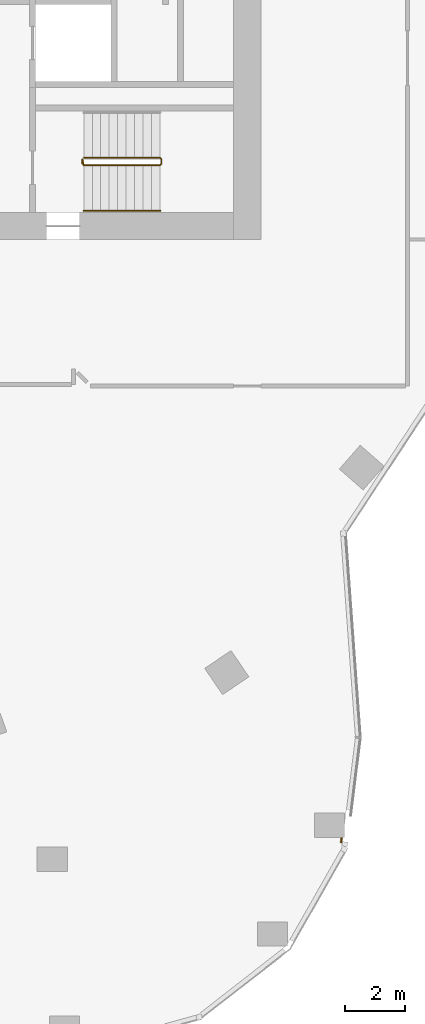
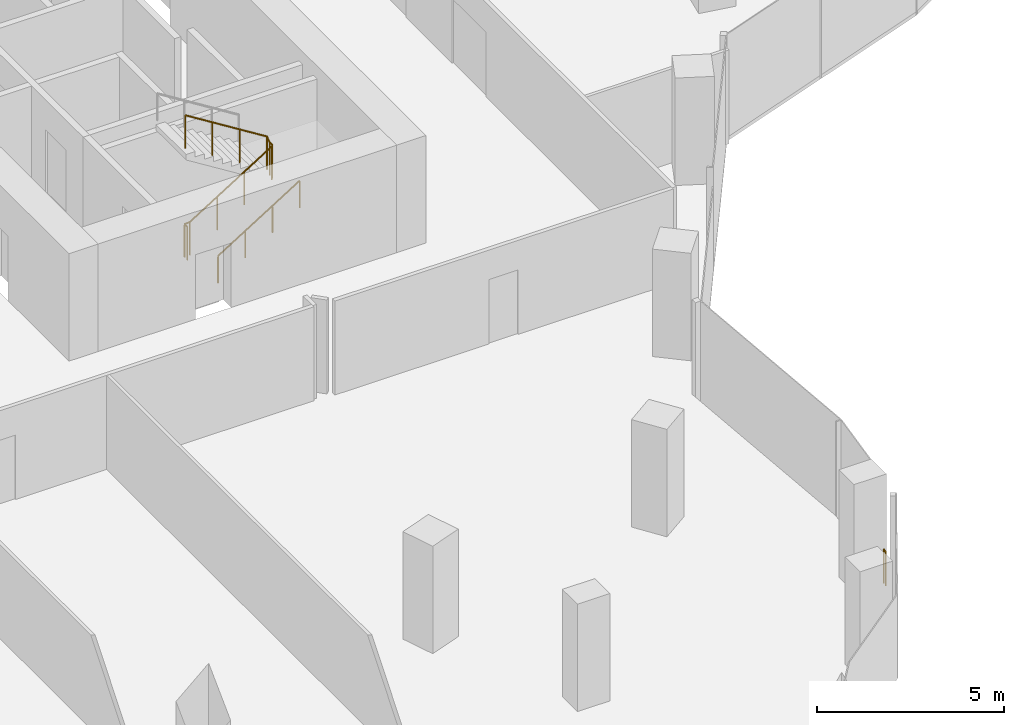
# One storey, part 23 of 24: 3 railings.
"""IFC4 building model written with IfcOpenShell, lengths in metres."""

import ifcopenshell
import ifcopenshell.guid

model = None  # the IFC model being written
_history = None  # IfcOwnerHistory: only IFC2X3 demands one
_inside = {}  # id of a spatial element -> (the spatial element, [elements in it])
_under = {}  # id of a project, library or spatial element -> (it, [spatial elements below it])
_declared = {}  # id of a project -> (the project, [libraries it declares])
_typed = {}  # id of a type object -> (the type object, [elements of that type])
_made_of = {}  # id of a material, layer set ... -> (it, [elements and type objects made of it])


def new_model(schema):
    """Start an empty IFC model of exactly this schema.

    Asked for "IFC4X3", IfcOpenShell would pick the latest addendum, in which some entities
    have other attributes; the version numbers below select the first issue.
    IFC2X3 requires an IfcOwnerHistory on every rooted entity: one is made here for all.
    """
    global model, _history
    if schema == "IFC4X3":
        model = ifcopenshell.file(schema_version=(4, 3, 0, 0))
    else:
        model = ifcopenshell.file(schema=schema)
    _inside.clear()
    _under.clear()
    _declared.clear()
    _typed.clear()
    _made_of.clear()
    _history = None
    if model.schema == "IFC2X3":
        org = make("IfcOrganization", Name="unknown")
        user = make(
            "IfcPersonAndOrganization",
            ThePerson=make("IfcPerson", FamilyName="unknown"),
            TheOrganization=org,
        )
        app = make(
            "IfcApplication",
            ApplicationDeveloper=org,
            Version="unknown",
            ApplicationFullName="unknown",
            ApplicationIdentifier="unknown",
        )
        _history = make(
            "IfcOwnerHistory",
            OwningUser=user,
            OwningApplication=app,
            ChangeAction="ADDED",
            CreationDate=0,
        )
    return model


def make(cls, **values):
    """One entity of the class cls with the attributes given. An attribute that is None is left unset."""
    return model.create_entity(
        cls, **{name: value for name, value in values.items() if value is not None}
    )


def rooted(cls, **values):
    """An entity with a GlobalId (a new one), such as an element, a storey or a relation."""
    return make(cls, GlobalId=ifcopenshell.guid.new(), OwnerHistory=_history, **values)


def si_unit(unit_type, name, prefix=None):
    """IfcSIUnit, for example si_unit("LENGTHUNIT", "METRE", prefix="MILLI")."""
    return make("IfcSIUnit", UnitType=unit_type, Prefix=prefix, Name=name)


def assignment(units):
    """IfcUnitAssignment: the units of a project."""
    return None if units is None else make("IfcUnitAssignment", Units=units)


def point(xyz):
    """IfcCartesianPoint."""
    return None if xyz is None else make("IfcCartesianPoint", Coordinates=xyz)


def direction(xyz):
    """IfcDirection."""
    return None if xyz is None else make("IfcDirection", DirectionRatios=xyz)


def frame(location, z_axis=None, x_axis=None):
    """IfcAxis2Placement3D, a coordinate frame: its origin and axes. An axis left out is left unset."""
    return make(
        "IfcAxis2Placement3D",
        Location=point(location),
        Axis=direction(z_axis),
        RefDirection=direction(x_axis),
    )


def frame_2d(location, x_axis=None):
    """IfcAxis2Placement2D, a coordinate frame in the plane: its origin and x axis."""
    return make(
        "IfcAxis2Placement2D", Location=point(location), RefDirection=direction(x_axis)
    )


def origin():
    """The frame at (0, 0, 0) with its axes left unset."""
    return frame((0.0, 0.0, 0.0))


def origin_2d():
    """The frame at (0, 0) in the plane with its x axis left unset."""
    return frame_2d((0.0, 0.0))


def place(relative_to, where):
    """IfcLocalPlacement: puts the frame where relative to a parent placement (None: the world)."""
    return make(
        "IfcLocalPlacement", PlacementRelTo=relative_to, RelativePlacement=where
    )


def context(
    kind, dimensions, precision=None, world=None, true_north=None, identifier=None
):
    """IfcGeometricRepresentationContext, for example the 3D "Model" context."""
    return make(
        "IfcGeometricRepresentationContext",
        ContextIdentifier=identifier,
        ContextType=kind,
        CoordinateSpaceDimension=dimensions,
        Precision=precision,
        WorldCoordinateSystem=world,
        TrueNorth=true_north,
    )


def subcontext(parent, identifier, kind, view, scale=None):
    """IfcGeometricRepresentationSubContext, for example "Body" below "Model"."""
    return make(
        "IfcGeometricRepresentationSubContext",
        ContextIdentifier=identifier,
        ContextType=kind,
        ParentContext=parent,
        TargetScale=scale,
        TargetView=view,
    )


def project(units=None, contexts=None):
    """IfcProject with its units and contexts."""
    return rooted(
        "IfcProject",
        Name="project",
        RepresentationContexts=contexts,
        UnitsInContext=assignment(units),
    )


def spatial(cls, under=None, at=None, **own):
    """A site, building, storey or space (cls), placed at a placement, below another one or the project."""
    s = rooted(cls, ObjectPlacement=at, **own)
    if under is not None:
        _under.setdefault(under.id(), (under, []))[1].append(s)
    return s


def profile(cls, at=None, kind="AREA", **sizes):
    """A parametric profile (cls). Its sizes go by their IFC names, for example OverallWidth=200.0."""
    return make(cls, ProfileType=kind, Position=at, **sizes)


def circle(**sizes):
    """IfcCircleProfileDef."""
    return profile("IfcCircleProfileDef", **sizes)


def extrude(swept, where, along, depth):
    """IfcExtrudedAreaSolid: the profile swept, set in the frame where, extruded along a direction by depth."""
    return make(
        "IfcExtrudedAreaSolid",
        SweptArea=swept,
        Position=where,
        ExtrudedDirection=direction(along),
        Depth=depth,
    )


def shape(context_of_items, identifier, shape_type, items):
    """IfcShapeRepresentation: the items that make up one representation, for example the "Body"."""
    return make(
        "IfcShapeRepresentation",
        ContextOfItems=context_of_items,
        RepresentationIdentifier=identifier,
        RepresentationType=shape_type,
        Items=items,
    )


def material(Name=None, Category=None):
    """IfcMaterial."""
    return make("IfcMaterial", Name=Name, Category=Category)


def made_of(thing, what):
    """Note that an element or type object is made of a material, layer set ...; save() writes the relation."""
    if what is not None:
        _made_of.setdefault(what.id(), (what, []))[1].append(thing)
    return thing


def type_object(cls, material=None, **own):
    """A type object (cls), such as IfcWallType, which elements share."""
    return made_of(rooted(cls, **own), material)


def element(
    cls,
    number,
    at=None,
    inside=None,
    cuts=None,
    type_object=None,
    material=None,
    context=None,
    identifier="Body",
    shape_type=None,
    held_by="IfcProductDefinitionShape",
    body=None,
    shapes=None,
    **own,
):
    """One element of the class cls, such as IfcWall. Its Tag is "e" and its number.

    at: its placement. inside: the storey or other place that contains it. cuts: it is an
    opening in that element (IfcRelVoidsElement). A single representation is given by context,
    identifier, shape_type and body (its items); several are given by shapes. held_by: the class
    of the entity that holds the representations. save() writes the other relations.
    """
    e = rooted(cls, Tag="e%d" % number, ObjectPlacement=at, **own)
    if body is not None:
        shapes = [shape(context, identifier, shape_type, body)]
    if shapes is not None:
        e.Representation = make(held_by, Representations=shapes)
    if inside is not None:
        _inside.setdefault(inside.id(), (inside, []))[1].append(e)
    if cuts is not None:
        rooted(
            "IfcRelVoidsElement", RelatingBuildingElement=cuts, RelatedOpeningElement=e
        )
    if type_object is not None:
        _typed.setdefault(type_object.id(), (type_object, []))[1].append(e)
    return made_of(e, material)


def aggregate(whole, parts):
    """IfcRelAggregates: a whole, such as a stair, and the parts it consists of."""
    return rooted("IfcRelAggregates", RelatingObject=whole, RelatedObjects=parts)


def save(model, path):
    """Write the relations noted so far, then the file.

    IfcRelAggregates (storeys below a building ...), IfcRelContainedInSpatialStructure (elements
    in a storey), IfcRelDefinesByType, IfcRelAssociatesMaterial and IfcRelDeclares: one each for
    every whole, place, type object, material and project.
    """
    for whole, parts in _under.values():
        aggregate(whole, parts)
    for where, things in _inside.values():
        rooted(
            "IfcRelContainedInSpatialStructure",
            RelatedElements=things,
            RelatingStructure=where,
        )
    for kind, things in _typed.values():
        rooted("IfcRelDefinesByType", RelatedObjects=things, RelatingType=kind)
    for what, things in _made_of.values():
        rooted("IfcRelAssociatesMaterial", RelatedObjects=things, RelatingMaterial=what)
    for by, libraries in _declared.values():
        rooted("IfcRelDeclares", RelatingContext=by, RelatedDefinitions=libraries)
    model.write(path)


model = new_model("IFC4")

# Units and contexts
model_context = context("Model", 3, precision=1e-05, world=origin(), true_north=direction((0.0, 1.0)))
body_context = subcontext(model_context, "Body", "Model", "MODEL_VIEW")
ifc_project = project(units=[si_unit("LENGTHUNIT", "METRE"), si_unit("AREAUNIT", "SQUARE_METRE"), si_unit("VOLUMEUNIT", "CUBIC_METRE"), si_unit("PLANEANGLEUNIT", "RADIAN"), si_unit("MASSUNIT", "GRAM", prefix="KILO")], contexts=[model_context])

# Site, building, storey
site_placement = place(None, origin())
site = spatial("IfcSite", under=ifc_project, at=site_placement, CompositionType="ELEMENT")
building_placement = place(site_placement, origin())
building = spatial("IfcBuilding", under=site, at=building_placement, Name="Orlundy Tower", CompositionType="ELEMENT")
storey_placement = place(building_placement, frame((0.0, 0.0, 246.0)))
storey = spatial("IfcBuildingStorey", under=building, at=storey_placement, Name="L65", CompositionType="ELEMENT", Elevation=246.0)

# Railings
ifc_material_1 = material(Name="Steel balustrade", Category="steel")
railing_type_1 = type_object("IfcRailingType", Name="Stair Guard 1100", PredefinedType="GUARDRAIL", material=ifc_material_1)
railing_1_placement = place(storey_placement, frame((13.090087890625, -9.5, 0.0)))
element("IfcRailing", 1, at=railing_1_placement, inside=storey, type_object=railing_type_1, Name="L65 ST-E1 stair guard 1", PredefinedType="GUARDRAIL", context=body_context, shape_type="SweptSolid", body=[
    extrude(circle(Radius=0.02392578125, at=origin_2d()), frame((0.0, 0.0, 1.076171875), z_axis=(0.0, 1.0, 0.0), x_axis=(-1.0, 0.0, 0.0)), (0.0, 0.0, 1.0), 0.14990234375),
    extrude(circle(Radius=0.02392578125, at=origin_2d()), frame((0.0, 0.14990234375, 1.076171875), z_axis=(0.18420542264, -0.739530593833, 0.647427882513), x_axis=(0.970351222016, 0.241699205484, 0.0)), (0.0, 0.0, 1.0), 0.270263671875),
    extrude(circle(Radius=0.02392578125, at=origin_2d()), frame((0.0498046875, -0.050048828125, 1.2509765625), z_axis=(0.848007534815, 0.0, 0.529984170421), x_axis=(0.0, 1.0, 0.0)), (0.0, 0.0, 1.0), 2.9716796875),
    extrude(circle(Radius=0.02392578125, at=origin_2d()), frame((2.56982421875, -0.050048828125, 2.826171875), z_axis=(0.707106781187, 0.707106781187, 0.0), x_axis=(-0.707106781187, 0.707106781187, 0.0)), (0.0, 0.0, 1.0), 0.07080078125),
    extrude(circle(Radius=0.02392578125, at=origin_2d()), frame((2.619873046875, 0.0, 2.826171875), z_axis=(0.0, 1.0, 0.0), x_axis=(-1.0, 0.0, 0.0)), (0.0, 0.0, 1.0), 0.14990234375),
    extrude(circle(Radius=0.02392578125, at=origin_2d()), frame((2.619873046875, 0.14990234375, 2.826171875), z_axis=(-0.265065253269, 0.265065253269, 0.927081885822), x_axis=(-0.707106781187, -0.707106781187, 0.0)), (0.0, 0.0, 1.0), 0.188720703125),
    extrude(circle(Radius=0.02392578125, at=origin_2d()), frame((2.56982421875, 0.199951171875, 3.0009765625), z_axis=(-0.848007534815, 0.0, 0.529984170421), x_axis=(0.0, -1.0, 0.0)), (0.0, 0.0, 1.0), 2.9716796875),
    extrude(circle(Radius=0.02099609375, at=origin_2d()), origin(), (0.0, 0.0, 1.0), 1.052001953125),
    extrude(circle(Radius=0.02099609375, at=origin_2d()), frame((0.0, 0.14990234375, 0.0)), (0.0, 0.0, 1.0), 1.052001953125),
    extrude(circle(Radius=0.02099609375, at=origin_2d()), frame((0.0498046875, -0.050048828125, 0.175048828125)), (0.0, 0.0, 1.0), 1.052001953125),
    extrude(circle(Radius=0.02099609375, at=origin_2d()), frame((0.889892578125, -0.050048828125, 0.699951171875)), (0.0, 0.0, 1.0), 1.052001953125),
    extrude(circle(Radius=0.02099609375, at=origin_2d()), frame((1.729736328125, -0.050048828125, 1.22509765625)), (0.0, 0.0, 1.0), 1.052001953125),
    extrude(circle(Radius=0.02099609375, at=origin_2d()), frame((2.56982421875, -0.050048828125, 1.75)), (0.0, 0.0, 1.0), 1.052001953125),
    extrude(circle(Radius=0.02099609375, at=origin_2d()), frame((2.619873046875, 0.0, 1.75)), (0.0, 0.0, 1.0), 1.052001953125),
    extrude(circle(Radius=0.02099609375, at=origin_2d()), frame((2.619873046875, 0.14990234375, 1.75)), (0.0, 0.0, 1.0), 1.052001953125),
    extrude(circle(Radius=0.02099609375, at=origin_2d()), frame((2.56982421875, 0.199951171875, 1.925048828125)), (0.0, 0.0, 1.0), 1.052001953125),
    extrude(circle(Radius=0.02099609375, at=origin_2d()), frame((1.729736328125, 0.199951171875, 2.449951171875)), (0.0, 0.0, 1.0), 1.052001953125),
    extrude(circle(Radius=0.02099609375, at=origin_2d()), frame((0.889892578125, 0.199951171875, 2.97509765625)), (0.0, 0.0, 1.0), 1.052001953125),
    extrude(circle(Radius=0.02099609375, at=origin_2d()), frame((0.0498046875, 0.199951171875, 3.5)), (0.0, 0.0, 1.0), 1.052001953125),
])
ifc_material_2 = material(Name="Steel handrail", Category="steel")
railing_type_2 = type_object("IfcRailingType", Name="Stair Handrail 900", PredefinedType="HANDRAIL", material=ifc_material_2)
railing_2_placement = place(storey_placement, frame((13.139892578125, -11.050048828125, 0.175048828125)))
element("IfcRailing", 2, at=railing_2_placement, inside=storey, type_object=railing_type_2, Name="L65 ST-E1 stair handrail 1", PredefinedType="HANDRAIL", context=body_context, shape_type="SweptSolid", body=[
    extrude(circle(Radius=0.02392578125, at=origin_2d()), frame((0.0, 0.0, 0.8759765625), z_axis=(0.848007534815, 0.0, 0.529984170421), x_axis=(0.0, 1.0, 0.0)), (0.0, 0.0, 1.0), 2.9716796875),
    extrude(circle(Radius=0.02099609375, at=origin_2d()), origin(), (0.0, 0.0, 1.0), 0.851806640625),
    extrude(circle(Radius=0.02099609375, at=origin_2d()), frame((0.840087890625, 0.0, 0.52490234375)), (0.0, 0.0, 1.0), 0.851806640625),
    extrude(circle(Radius=0.02099609375, at=origin_2d()), frame((1.679931640625, 0.0, 1.050048828125)), (0.0, 0.0, 1.0), 0.851806640625),
    extrude(circle(Radius=0.02099609375, at=origin_2d()), frame((2.52001953125, 0.0, 1.574951171875)), (0.0, 0.0, 1.0), 0.851806640625),
])
ifc_material_3 = material(Name="Stainless steel bronze finish", Category="steel")
railing_type_3 = type_object("IfcRailingType", Name="TG1 terrace guard", PredefinedType="GUARDRAIL", material=ifc_material_3)
railing_3_placement = place(storey_placement, frame((21.67138671875, -31.81005859375, 0.0)))
element("IfcRailing", 3, at=railing_3_placement, inside=storey, type_object=railing_type_3, Name="Guard TG-L65-E01", PredefinedType="GUARDRAIL", context=body_context, shape_type="SweptSolid", body=[
    extrude(circle(Radius=0.02490234375, at=origin_2d()), frame((0.0, 0.0, 1.09521484375), z_axis=(-0.122459893212, -0.992473462897, 0.0), x_axis=(0.992473462897, -0.122459893212, 0.0)), (0.0, 0.0, 1.0), 0.133544921875),
    extrude(circle(Radius=0.02001953125, at=origin_2d()), origin(), (0.0, 0.0, 1.0), 1.070068359375),
    extrude(circle(Radius=0.02001953125, at=origin_2d()), frame((-0.016357421875, -0.132568359375, 0.0)), (0.0, 0.0, 1.0), 1.070068359375),
])

save(model, "model.ifc")
